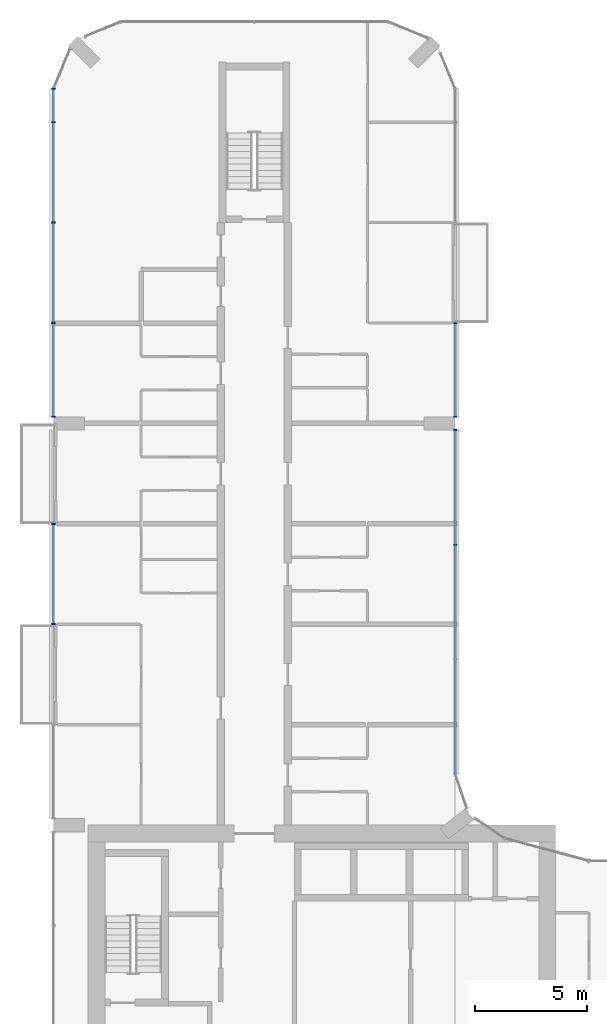
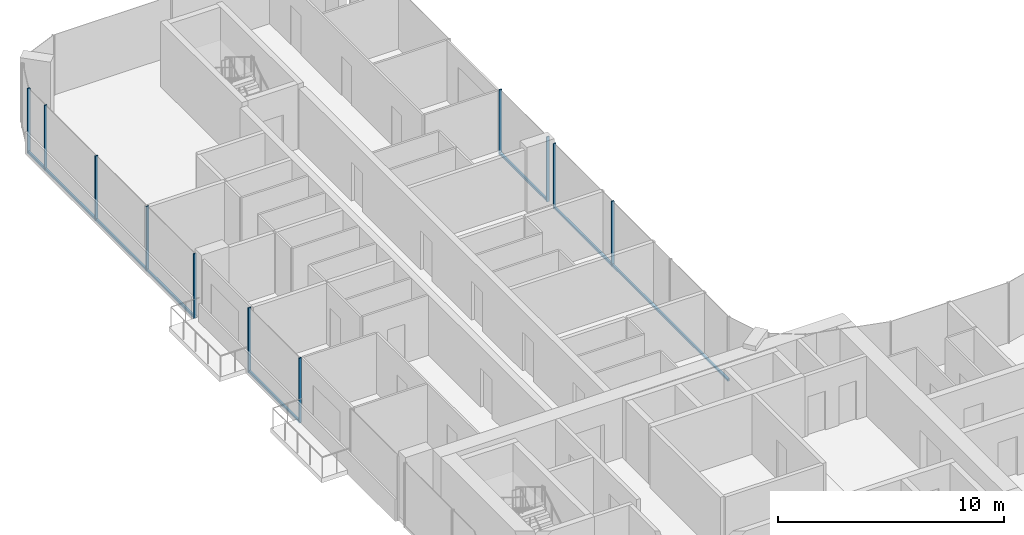
# One storey, part 6 of 24: 15 members, 4 elements without a shape of their own.
"""IFC4 building model written with IfcOpenShell, lengths in metres."""

from ifc_helpers import new_model, si_unit, direction, frame, origin, origin_2d, place, context, subcontext, project, spatial, rectangle, extrude, material, layer, layer_set, material_profile, profile_set, type_object, element, aggregate, save


model = new_model("IFC4")

# Units and contexts
model_context = context("Model", 3, precision=1e-05, world=origin(), true_north=direction((0.0, 1.0)))
body_context = subcontext(model_context, "Body", "Model", "MODEL_VIEW")
ifc_project = project(units=[si_unit("LENGTHUNIT", "METRE"), si_unit("AREAUNIT", "SQUARE_METRE"), si_unit("VOLUMEUNIT", "CUBIC_METRE"), si_unit("PLANEANGLEUNIT", "RADIAN"), si_unit("MASSUNIT", "GRAM", prefix="KILO")], contexts=[model_context])

# Site, building, storey
site_placement = place(None, origin())
site = spatial("IfcSite", under=ifc_project, at=site_placement, CompositionType="ELEMENT")
building_placement = place(site_placement, origin())
building = spatial("IfcBuilding", under=site, at=building_placement, Name="Plateau Cross Towers", CompositionType="ELEMENT")
storey_placement = place(building_placement, frame((0.0, 0.0, 47.800048828125)))
storey = spatial("IfcBuildingStorey", under=building, at=storey_placement, Name="L11", CompositionType="ELEMENT", Elevation=47.800048828125)

# Curtain wall, members
ifc_material_1 = material(Name="Dark low-iron glass", Category="glass")
ifc_layer = layer(ifc_material_1, 0.239990234375)
ifc_layer_set = layer_set([ifc_layer], Name="Dark low-iron glass")
curtain_wall_type = type_object("IfcCurtainWallType", Name="Curtain wall flush unitised CW-B", PredefinedType="NOTDEFINED", material=ifc_layer_set)
curtain_wall_1_placement = place(storey_placement, origin())
curtain_wall_1 = element("IfcCurtainWall", 1, at=curtain_wall_1_placement, inside=storey, type_object=curtain_wall_type, Name="ENV/A/L11/A180_203", PredefinedType="NOTDEFINED")
ifc_material_2 = material(Name="Black anodised aluminium", Category="aluminium")
ifc_material_profile_1 = material_profile(ifc_material_2, rectangle(XDim=0.06005859375, YDim=0.139892578125, at=origin_2d()), Name="MULLION 60x140")
ifc_profile_set_1 = profile_set([ifc_material_profile_1], Name="Black anodised aluminium")
member_type_1 = type_object("IfcMemberType", Name="Mullion 60x140 flush unitised", PredefinedType="MULLION", material=ifc_profile_set_1)
member_1_placement = place(storey_placement, frame((18.0, 30.5673828125, -0.25), z_axis=(0.0, 0.0, 1.0), x_axis=(0.0, 1.0, 0.0)))
member_1 = element("IfcMember", 2, at=member_1_placement, type_object=member_type_1, Name="CW-B mullion 3", PredefinedType="MULLION", context=body_context, shape_type="SweptSolid", body=[
    extrude(rectangle(XDim=0.06005859375, YDim=0.139892578125, at=origin_2d()), origin(), (0.0, 0.0, 1.0), 3.5),
])
member_2_placement = place(storey_placement, frame((18.0, 35.699951171875, -0.25), z_axis=(0.0, 0.0, 1.0), x_axis=(0.0, 1.0, 0.0)))
member_2 = element("IfcMember", 3, at=member_2_placement, type_object=member_type_1, Name="CW-B mullion 4", PredefinedType="MULLION", context=body_context, shape_type="SweptSolid", body=[
    extrude(rectangle(XDim=0.06005859375, YDim=0.139892578125, at=origin_2d()), origin(), (0.0, 0.0, 1.0), 3.5),
])

curtain_wall_2_placement = place(storey_placement, origin())
curtain_wall_2 = element("IfcCurtainWall", 4, at=curtain_wall_2_placement, inside=storey, type_object=curtain_wall_type, Name="ENV/A/L11/A180_363", PredefinedType="NOTDEFINED")
member_3_placement = place(storey_placement, frame((18.0, 36.300048828125, -0.25), z_axis=(0.0, 0.0, 1.0), x_axis=(0.0, 1.0, 0.0)))
member_3 = element("IfcMember", 5, at=member_3_placement, type_object=member_type_1, Name="CW-B mullion 1", PredefinedType="MULLION", context=body_context, shape_type="SweptSolid", body=[
    extrude(rectangle(XDim=0.06005859375, YDim=0.139892578125, at=origin_2d()), origin(), (0.0, 0.0, 1.0), 3.5),
])
member_4_placement = place(storey_placement, frame((18.0, 40.489990234375, -0.25), z_axis=(0.0, 0.0, 1.0), x_axis=(0.0, 1.0, 0.0)))
member_4 = element("IfcMember", 6, at=member_4_placement, type_object=member_type_1, Name="CW-B mullion 2", PredefinedType="MULLION", context=body_context, shape_type="SweptSolid", body=[
    extrude(rectangle(XDim=0.06005859375, YDim=0.139892578125, at=origin_2d()), origin(), (0.0, 0.0, 1.0), 3.5),
])

curtain_wall_3_placement = place(storey_placement, origin())
curtain_wall_3 = element("IfcCurtainWall", 7, at=curtain_wall_3_placement, inside=storey, type_object=curtain_wall_type, Name="ENV/A/L11/A0_510", PredefinedType="NOTDEFINED")
member_5_placement = place(storey_placement, frame((0.0, 51.0, -0.25), z_axis=(0.0, 0.0, 1.0), x_axis=(0.0, -1.0, 0.0)))
member_5 = element("IfcMember", 8, at=member_5_placement, type_object=member_type_1, Name="CW-B mullion 1", PredefinedType="MULLION", context=body_context, shape_type="SweptSolid", body=[
    extrude(rectangle(XDim=0.06005859375, YDim=0.139892578125, at=origin_2d()), origin(), (0.0, 0.0, 1.0), 3.5),
])
member_6_placement = place(storey_placement, frame((0.0, 49.5, -0.25), z_axis=(0.0, 0.0, 1.0), x_axis=(0.0, -1.0, 0.0)))
member_6 = element("IfcMember", 9, at=member_6_placement, type_object=member_type_1, Name="CW-B mullion 2", PredefinedType="MULLION", context=body_context, shape_type="SweptSolid", body=[
    extrude(rectangle(XDim=0.06005859375, YDim=0.139892578125, at=origin_2d()), origin(), (0.0, 0.0, 1.0), 3.5),
])
member_7_placement = place(storey_placement, frame((0.0, 45.0, -0.25), z_axis=(0.0, 0.0, 1.0), x_axis=(0.0, -1.0, 0.0)))
member_7 = element("IfcMember", 10, at=member_7_placement, type_object=member_type_1, Name="CW-B mullion 3", PredefinedType="MULLION", context=body_context, shape_type="SweptSolid", body=[
    extrude(rectangle(XDim=0.06005859375, YDim=0.139892578125, at=origin_2d()), origin(), (0.0, 0.0, 1.0), 3.5),
])
member_8_placement = place(storey_placement, frame((0.0, 40.5, -0.25), z_axis=(0.0, 0.0, 1.0), x_axis=(0.0, -1.0, 0.0)))
member_8 = element("IfcMember", 11, at=member_8_placement, type_object=member_type_1, Name="CW-B mullion 4", PredefinedType="MULLION", context=body_context, shape_type="SweptSolid", body=[
    extrude(rectangle(XDim=0.06005859375, YDim=0.139892578125, at=origin_2d()), origin(), (0.0, 0.0, 1.0), 3.5),
])
member_9_placement = place(storey_placement, frame((0.0, 36.300048828125, -0.25), z_axis=(0.0, 0.0, 1.0), x_axis=(0.0, -1.0, 0.0)))
member_9 = element("IfcMember", 12, at=member_9_placement, type_object=member_type_1, Name="CW-B mullion 5", PredefinedType="MULLION", context=body_context, shape_type="SweptSolid", body=[
    extrude(rectangle(XDim=0.06005859375, YDim=0.139892578125, at=origin_2d()), origin(), (0.0, 0.0, 1.0), 3.5),
])

curtain_wall_4_placement = place(storey_placement, origin())
curtain_wall_4 = element("IfcCurtainWall", 13, at=curtain_wall_4_placement, inside=storey, type_object=curtain_wall_type, Name="ENV/A/L11/A0_315", PredefinedType="NOTDEFINED")
member_10_placement = place(storey_placement, frame((0.0, 31.489990234375, -0.25), z_axis=(0.0, 0.0, 1.0), x_axis=(0.0, -1.0, 0.0)))
member_10 = element("IfcMember", 14, at=member_10_placement, type_object=member_type_1, Name="CW-B mullion 1", PredefinedType="MULLION", context=body_context, shape_type="SweptSolid", body=[
    extrude(rectangle(XDim=0.06005859375, YDim=0.139892578125, at=origin_2d()), origin(), (0.0, 0.0, 1.0), 3.5),
])
member_11_placement = place(storey_placement, frame((0.0, 27.010009765625, -0.25), z_axis=(0.0, 0.0, 1.0), x_axis=(0.0, -1.0, 0.0)))
member_11 = element("IfcMember", 15, at=member_11_placement, type_object=member_type_1, Name="CW-B mullion 2", PredefinedType="MULLION", context=body_context, shape_type="SweptSolid", body=[
    extrude(rectangle(XDim=0.06005859375, YDim=0.139892578125, at=origin_2d()), origin(), (0.0, 0.0, 1.0), 3.5),
])

# Member
ifc_material_profile_2 = material_profile(ifc_material_2, rectangle(XDim=0.10009765625, YDim=0.1201171875, at=origin_2d()), Name="TRANSOM 100x120")
ifc_profile_set_2 = profile_set([ifc_material_profile_2], Name="Black anodised aluminium")
member_type_2 = type_object("IfcMemberType", Name="Transom 100x120 flush unitised", PredefinedType="USERDEFINED", material=ifc_profile_set_2)
member_12_placement = place(storey_placement, frame((18.0, 20.30224609375, -0.18994140625), z_axis=(0.0, 1.0, 0.0), x_axis=(-1.0, 0.0, 0.0)))
member_12 = element("IfcMember", 16, at=member_12_placement, type_object=member_type_2, Name="CW-B transom", ObjectType="TRANSOM", PredefinedType="USERDEFINED", context=body_context, shape_type="SweptSolid", body=[
    extrude(rectangle(XDim=0.10009765625, YDim=0.1201171875, at=origin_2d()), origin(), (0.0, 0.0, 1.0), 15.397705078125),
])

aggregate(curtain_wall_1, [member_1, member_2, member_12])

member_13_placement = place(storey_placement, frame((18.0, 36.300048828125, -0.18994140625), z_axis=(0.0, 1.0, 0.0), x_axis=(-1.0, 0.0, 0.0)))
member_13 = element("IfcMember", 17, at=member_13_placement, type_object=member_type_2, Name="CW-B transom", ObjectType="TRANSOM", PredefinedType="USERDEFINED", context=body_context, shape_type="SweptSolid", body=[
    extrude(rectangle(XDim=0.10009765625, YDim=0.1201171875, at=origin_2d()), origin(), (0.0, 0.0, 1.0), 4.18994140625),
])

aggregate(curtain_wall_2, [member_3, member_4, member_13])

member_14_placement = place(storey_placement, frame((0.0, 51.0, -0.18994140625), z_axis=(0.0, -1.0, 0.0), x_axis=(1.0, 0.0, 0.0)))
member_14 = element("IfcMember", 18, at=member_14_placement, type_object=member_type_2, Name="CW-B transom", ObjectType="TRANSOM", PredefinedType="USERDEFINED", context=body_context, shape_type="SweptSolid", body=[
    extrude(rectangle(XDim=0.10009765625, YDim=0.1201171875, at=origin_2d()), origin(), (0.0, 0.0, 1.0), 14.699951171875),
])

aggregate(curtain_wall_3, [member_5, member_6, member_7, member_8, member_9, member_14])

member_15_placement = place(storey_placement, frame((0.0, 31.489990234375, -0.18994140625), z_axis=(0.0, -1.0, 0.0), x_axis=(1.0, 0.0, 0.0)))
member_15 = element("IfcMember", 19, at=member_15_placement, type_object=member_type_2, Name="CW-B transom", ObjectType="TRANSOM", PredefinedType="USERDEFINED", context=body_context, shape_type="SweptSolid", body=[
    extrude(rectangle(XDim=0.10009765625, YDim=0.1201171875, at=origin_2d()), origin(), (0.0, 0.0, 1.0), 4.47998046875),
])

aggregate(curtain_wall_4, [member_10, member_11, member_15])

save(model, "model.ifc")
